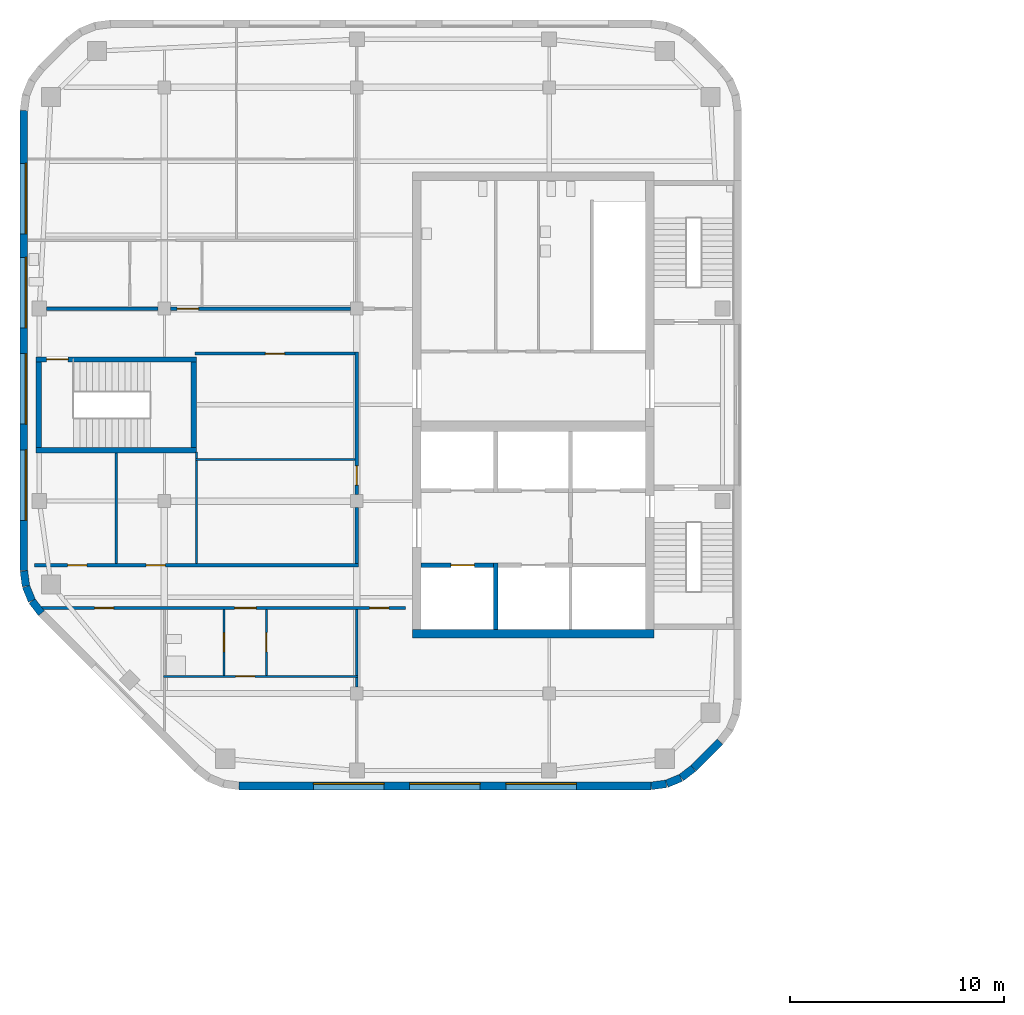
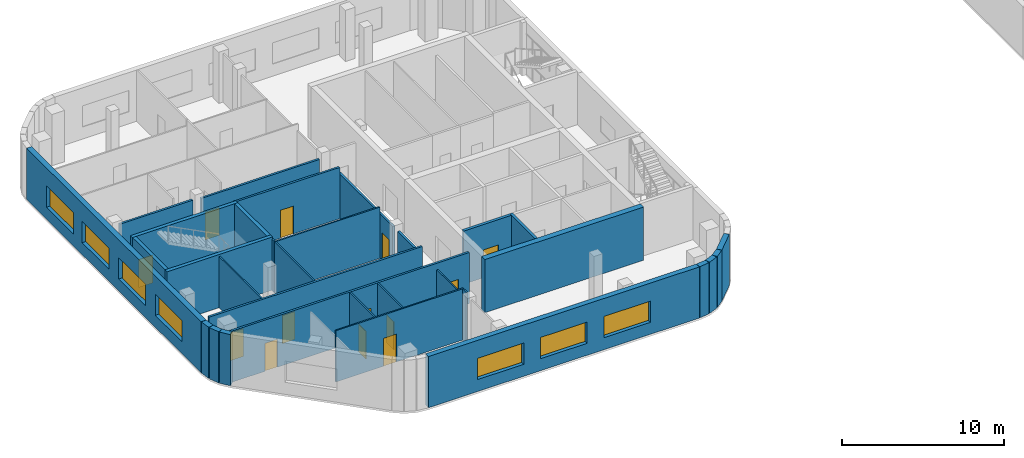
# One storey, part 5 of 14: 32 walls, 13 doors, 7 windows, 20 openings.
"""IFC4 building model written with IfcOpenShell, lengths in metres."""

from ifc_helpers import new_model, si_unit, direction, frame, frame_2d, origin, place, context, subcontext, project, spatial, rectangle, extrude, material, layer, layer_set, type_object, element, fill, save


model = new_model("IFC4")

# Units and contexts
model_context = context("Model", 3, precision=1e-05, world=origin(), true_north=direction((0.0, 1.0)))
body_context = subcontext(model_context, "Body", "Model", "MODEL_VIEW")
ifc_project = project(units=[si_unit("LENGTHUNIT", "METRE"), si_unit("AREAUNIT", "SQUARE_METRE"), si_unit("VOLUMEUNIT", "CUBIC_METRE"), si_unit("PLANEANGLEUNIT", "RADIAN"), si_unit("MASSUNIT", "GRAM", prefix="KILO")], contexts=[model_context])

# Site, building, storey
site_placement = place(None, origin())
site = spatial("IfcSite", under=ifc_project, at=site_placement, CompositionType="ELEMENT")
building_placement = place(site_placement, origin())
building = spatial("IfcBuilding", under=site, at=building_placement, Name="Cinnabar Reach Civic Tower", CompositionType="ELEMENT")
storey_placement = place(building_placement, frame((0.0, 0.0, 112.0)))
storey = spatial("IfcBuildingStorey", under=building, at=storey_placement, Name="L26", CompositionType="ELEMENT", Elevation=112.0)

# Walls
ifc_material_1 = material(Name="Facing brick with insulated backing", Category="masonry")
ifc_layer_1 = layer(ifc_material_1, 0.36)
ifc_layer_set_1 = layer_set([ifc_layer_1], Name="Brick corner wall")
wall_type_1 = type_object("IfcWallType", Name="Brick corner wall", PredefinedType="STANDARD", material=ifc_layer_set_1)
for number, where, z_axis, x_axis, name in (
    (1, (-31.2314, 13.683, 0.0), (0.0, 0.0, 1.0), (0.99144092581, 0.13055608231, 0.0), "Brick corner wall"),
    (2, (-30.5027, 13.7819, 0.0), (0.0, 0.0, 1.0), (0.923871547278, 0.382702709855, 0.0), "Brick corner wall"),
):
    element("IfcWall", number, at=place(storey_placement, frame(where, z_axis=z_axis, x_axis=x_axis)), inside=storey, type_object=wall_type_1, Name=name, PredefinedType="STANDARD", context=body_context, shape_type="SweptSolid", body=[
        extrude(rectangle(XDim=0.7131, YDim=0.36, at=frame_2d((0.3565, 0.0))), origin(), (0.0, 0.0, 1.0), 3.85),
    ])
wall_1_placement = place(storey_placement, frame((-29.8245, 14.066, 0.0), z_axis=(0.0, 0.0, 1.0), x_axis=(0.793321924995, 0.608802368033, 0.0)))
element("IfcWall", 3, at=wall_1_placement, inside=storey, type_object=wall_type_1, Name="Brick corner wall", PredefinedType="STANDARD", context=body_context, shape_type="SweptSolid", body=[
    extrude(rectangle(XDim=0.7132, YDim=0.36, at=frame_2d((0.3566, 0.0))), origin(), (0.0, 0.0, 1.0), 3.85),
])
for number, where, z_axis, x_axis, name in (
    (4, (-60.567, 23.7314, 0.0), (0.0, 0.0, 1.0), (0.13055608231, -0.99144092581, 0.0), "Brick corner wall"),
    (5, (-60.4681, 23.0027, 0.0), (0.0, 0.0, 1.0), (0.382702709855, -0.923871547278, 0.0), "Brick corner wall"),
):
    element("IfcWall", number, at=place(storey_placement, frame(where, z_axis=z_axis, x_axis=x_axis)), inside=storey, type_object=wall_type_1, Name=name, PredefinedType="STANDARD", context=body_context, shape_type="SweptSolid", body=[
        extrude(rectangle(XDim=0.7131, YDim=0.36, at=frame_2d((0.3565, 0.0))), origin(), (0.0, 0.0, 1.0), 3.85),
    ])
wall_2_placement = place(storey_placement, frame((-60.184, 22.3245, 0.0), z_axis=(0.0, 0.0, 1.0), x_axis=(0.608802368033, -0.793321924995, 0.0)))
element("IfcWall", 6, at=wall_2_placement, inside=storey, type_object=wall_type_1, Name="Brick corner wall", PredefinedType="STANDARD", context=body_context, shape_type="SweptSolid", body=[
    extrude(rectangle(XDim=0.7132, YDim=0.36, at=frame_2d((0.3566, 0.0))), origin(), (0.0, 0.0, 1.0), 3.85),
])

# Wall, openings, windows
ifc_layer_2 = layer(ifc_material_1, 0.36)
ifc_layer_set_2 = layer_set([ifc_layer_2], Name="Brick pier and spandrel wall")
wall_type_2 = type_object("IfcWallType", Name="Brick pier and spandrel wall", PredefinedType="STANDARD", material=ifc_layer_set_2)
wall_3_placement = place(storey_placement, frame((-50.5074, 13.68, 0.0), z_axis=(0.0, 0.0, 1.0), x_axis=(1.0, 0.0, 0.0)))
wall_3 = element("IfcWall", 7, at=wall_3_placement, inside=storey, type_object=wall_type_2, Name="Brick facade wall", PredefinedType="STANDARD", context=body_context, shape_type="SweptSolid", body=[
    extrude(rectangle(XDim=19.2648, YDim=0.36, at=frame_2d((9.6324, 0.0))), origin(), (0.0, 0.0, 1.0), 3.85),
])
opening_1_placement = place(wall_3_placement, frame((3.4824, 0.0, 0.9)))
opening_1 = element("IfcOpeningElement", 8, at=opening_1_placement, cuts=wall_3, Name="Opening W2709", PredefinedType="OPENING", context=body_context, shape_type="SweptSolid", body=[
    extrude(rectangle(XDim=3.3, YDim=1.6, at=frame_2d((1.65, 0.8))), frame((0.0, 0.19, 0.0), z_axis=(0.0, -1.0, 0.0), x_axis=(1.0, 0.0, 0.0)), (0.0, 0.0, 1.0), 0.38),
])
opening_2_placement = place(wall_3_placement, frame((7.9824, 0.0, 0.9)))
opening_2 = element("IfcOpeningElement", 9, at=opening_2_placement, cuts=wall_3, Name="Opening W2710", PredefinedType="OPENING", context=body_context, shape_type="SweptSolid", body=[
    extrude(rectangle(XDim=3.3, YDim=1.6, at=frame_2d((1.65, 0.8))), frame((0.0, 0.19, 0.0), z_axis=(0.0, -1.0, 0.0), x_axis=(1.0, 0.0, 0.0)), (0.0, 0.0, 1.0), 0.38),
])
opening_3_placement = place(wall_3_placement, frame((12.4824, 0.0, 0.9)))
opening_3 = element("IfcOpeningElement", 10, at=opening_3_placement, cuts=wall_3, Name="Opening W2711", PredefinedType="OPENING", context=body_context, shape_type="SweptSolid", body=[
    extrude(rectangle(XDim=3.3, YDim=1.6, at=frame_2d((1.65, 0.8))), frame((0.0, 0.19, 0.0), z_axis=(0.0, -1.0, 0.0), x_axis=(1.0, 0.0, 0.0)), (0.0, 0.0, 1.0), 0.38),
])
ifc_material_2 = material(Name="Clear double glazing in aluminium frame", Category="aluminium")
window_type = type_object("IfcWindowType", Name="Deep-set window A", PartitioningType="SINGLE_PANEL", PredefinedType="WINDOW", material=ifc_material_2)
window_1_placement = place(opening_1_placement, origin())
window_1 = element("IfcWindow", 11, at=window_1_placement, inside=storey, type_object=window_type, Name="Window south face", OverallHeight=1.6, OverallWidth=3.3, PartitioningType="SINGLE_PANEL", PredefinedType="WINDOW", context=body_context, shape_type="SweptSolid", body=[
    extrude(rectangle(XDim=3.3, YDim=1.6, at=frame_2d((1.65, 0.8))), frame((0.0, 0.13, 0.0), z_axis=(0.0, -1.0, 0.0), x_axis=(1.0, 0.0, 0.0)), (0.0, 0.0, 1.0), 0.06),
])
fill(opening_1, window_1)
window_2_placement = place(opening_2_placement, origin())
window_2 = element("IfcWindow", 12, at=window_2_placement, inside=storey, type_object=window_type, Name="Window south face", OverallHeight=1.6, OverallWidth=3.3, PartitioningType="SINGLE_PANEL", PredefinedType="WINDOW", context=body_context, shape_type="SweptSolid", body=[
    extrude(rectangle(XDim=3.3, YDim=1.6, at=frame_2d((1.65, 0.8))), frame((0.0, 0.13, 0.0), z_axis=(0.0, -1.0, 0.0), x_axis=(1.0, 0.0, 0.0)), (0.0, 0.0, 1.0), 0.06),
])
fill(opening_2, window_2)
window_3_placement = place(opening_3_placement, origin())
window_3 = element("IfcWindow", 13, at=window_3_placement, inside=storey, type_object=window_type, Name="Window south face", OverallHeight=1.6, OverallWidth=3.3, PartitioningType="SINGLE_PANEL", PredefinedType="WINDOW", context=body_context, shape_type="SweptSolid", body=[
    extrude(rectangle(XDim=3.3, YDim=1.6, at=frame_2d((1.65, 0.8))), frame((0.0, 0.13, 0.0), z_axis=(0.0, -1.0, 0.0), x_axis=(1.0, 0.0, 0.0)), (0.0, 0.0, 1.0), 0.06),
])
fill(opening_3, window_3)

# Wall
wall_4_placement = place(storey_placement, frame((-29.2486, 14.506, 0.0), z_axis=(0.0, 0.0, 1.0), x_axis=(0.707106781187, 0.707106781187, 0.0)))
element("IfcWall", 14, at=wall_4_placement, inside=storey, type_object=wall_type_2, Name="Brick facade wall", PredefinedType="STANDARD", context=body_context, shape_type="SweptSolid", body=[
    extrude(rectangle(XDim=1.7573, YDim=0.36, at=frame_2d((0.8787, 0.0))), origin(), (0.0, 0.0, 1.0), 3.85),
])

# Wall, openings, windows
wall_5_placement = place(storey_placement, frame((-60.57, 45.2574, 0.0), z_axis=(0.0, 0.0, 1.0), x_axis=(0.0, -1.0, 0.0)))
wall_5 = element("IfcWall", 15, at=wall_5_placement, inside=storey, type_object=wall_type_2, Name="Brick facade wall", PredefinedType="STANDARD", context=body_context, shape_type="SweptSolid", body=[
    extrude(rectangle(XDim=21.5148, YDim=0.36, at=frame_2d((10.7574, 0.0))), origin(), (0.0, 0.0, 1.0), 3.85),
])
opening_4_placement = place(wall_5_placement, frame((2.4574, 0.0, 0.9)))
opening_4 = element("IfcOpeningElement", 16, at=opening_4_placement, cuts=wall_5, Name="Opening W2718", PredefinedType="OPENING", context=body_context, shape_type="SweptSolid", body=[
    extrude(rectangle(XDim=3.3, YDim=1.6, at=frame_2d((1.65, 0.8))), frame((0.0, 0.19, 0.0), z_axis=(0.0, -1.0, 0.0), x_axis=(1.0, 0.0, 0.0)), (0.0, 0.0, 1.0), 0.38),
])
opening_5_placement = place(wall_5_placement, frame((6.8574, 0.0, 0.9)))
opening_5 = element("IfcOpeningElement", 17, at=opening_5_placement, cuts=wall_5, Name="Opening W2719", PredefinedType="OPENING", context=body_context, shape_type="SweptSolid", body=[
    extrude(rectangle(XDim=3.3, YDim=1.6, at=frame_2d((1.65, 0.8))), frame((0.0, 0.19, 0.0), z_axis=(0.0, -1.0, 0.0), x_axis=(1.0, 0.0, 0.0)), (0.0, 0.0, 1.0), 0.38),
])
opening_6_placement = place(wall_5_placement, frame((11.3574, 0.0, 0.9)))
opening_6 = element("IfcOpeningElement", 18, at=opening_6_placement, cuts=wall_5, Name="Opening W2720", PredefinedType="OPENING", context=body_context, shape_type="SweptSolid", body=[
    extrude(rectangle(XDim=3.3, YDim=1.6, at=frame_2d((1.65, 0.8))), frame((0.0, 0.19, 0.0), z_axis=(0.0, -1.0, 0.0), x_axis=(1.0, 0.0, 0.0)), (0.0, 0.0, 1.0), 0.38),
])
opening_7_placement = place(wall_5_placement, frame((15.8574, 0.0, 0.9)))
opening_7 = element("IfcOpeningElement", 19, at=opening_7_placement, cuts=wall_5, Name="Opening W2721", PredefinedType="OPENING", context=body_context, shape_type="SweptSolid", body=[
    extrude(rectangle(XDim=3.3, YDim=1.6, at=frame_2d((1.65, 0.8))), frame((0.0, 0.19, 0.0), z_axis=(0.0, -1.0, 0.0), x_axis=(1.0, 0.0, 0.0)), (0.0, 0.0, 1.0), 0.38),
])
window_4_placement = place(opening_4_placement, origin())
window_4 = element("IfcWindow", 20, at=window_4_placement, inside=storey, type_object=window_type, Name="Window west face", OverallHeight=1.6, OverallWidth=3.3, PartitioningType="SINGLE_PANEL", PredefinedType="WINDOW", context=body_context, shape_type="SweptSolid", body=[
    extrude(rectangle(XDim=3.3, YDim=1.6, at=frame_2d((1.65, 0.8))), frame((0.0, 0.13, 0.0), z_axis=(0.0, -1.0, 0.0), x_axis=(1.0, 0.0, 0.0)), (0.0, 0.0, 1.0), 0.06),
])
fill(opening_4, window_4)
window_5_placement = place(opening_5_placement, origin())
window_5 = element("IfcWindow", 21, at=window_5_placement, inside=storey, type_object=window_type, Name="Window west face", OverallHeight=1.6, OverallWidth=3.3, PartitioningType="SINGLE_PANEL", PredefinedType="WINDOW", context=body_context, shape_type="SweptSolid", body=[
    extrude(rectangle(XDim=3.3, YDim=1.6, at=frame_2d((1.65, 0.8))), frame((0.0, 0.13, 0.0), z_axis=(0.0, -1.0, 0.0), x_axis=(1.0, 0.0, 0.0)), (0.0, 0.0, 1.0), 0.06),
])
fill(opening_5, window_5)
window_6_placement = place(opening_6_placement, origin())
window_6 = element("IfcWindow", 22, at=window_6_placement, inside=storey, type_object=window_type, Name="Window west face", OverallHeight=1.6, OverallWidth=3.3, PartitioningType="SINGLE_PANEL", PredefinedType="WINDOW", context=body_context, shape_type="SweptSolid", body=[
    extrude(rectangle(XDim=3.3, YDim=1.6, at=frame_2d((1.65, 0.8))), frame((0.0, 0.13, 0.0), z_axis=(0.0, -1.0, 0.0), x_axis=(1.0, 0.0, 0.0)), (0.0, 0.0, 1.0), 0.06),
])
fill(opening_6, window_6)
window_7_placement = place(opening_7_placement, origin())
window_7 = element("IfcWindow", 23, at=window_7_placement, inside=storey, type_object=window_type, Name="Window west face", OverallHeight=1.6, OverallWidth=3.3, PartitioningType="SINGLE_PANEL", PredefinedType="WINDOW", context=body_context, shape_type="SweptSolid", body=[
    extrude(rectangle(XDim=3.3, YDim=1.6, at=frame_2d((1.65, 0.8))), frame((0.0, 0.13, 0.0), z_axis=(0.0, -1.0, 0.0), x_axis=(1.0, 0.0, 0.0)), (0.0, 0.0, 1.0), 0.06),
])
fill(opening_7, window_7)

# Wall
ifc_material_3 = material(Name="Concrete C60", Category="concrete")
ifc_layer_3 = layer(ifc_material_3, 0.4)
ifc_layer_set_3 = layer_set([ifc_layer_3], Name="Core wall 400 EI 180")
wall_type_3 = type_object("IfcWallType", Name="Core wall 400 EI 180", PredefinedType="SOLIDWALL", material=ifc_layer_set_3)
wall_6_placement = place(storey_placement, frame((-42.4, 20.8, 0.0), z_axis=(0.0, 0.0, 1.0), x_axis=(1.0, 0.0, 0.0)))
element("IfcWall", 24, at=wall_6_placement, inside=storey, type_object=wall_type_3, Name="Core wall T2 L26 S", PredefinedType="SOLIDWALL", context=body_context, shape_type="SweptSolid", body=[
    extrude(rectangle(XDim=11.3, YDim=0.4, at=frame_2d((5.65, 0.0))), origin(), (0.0, 0.0, 1.0), 4.0),
])

# Wall, opening, door
ifc_material_4 = material(Name="Gypsum board on steel studs, double layer", Category="steel")
ifc_layer_4 = layer(ifc_material_4, 0.15)
ifc_layer_set_4 = layer_set([ifc_layer_4], Name="Corridor wall 150 T2")
wall_type_4 = type_object("IfcWallType", Name="Corridor wall 150 T2", PredefinedType="PARTITIONING", material=ifc_layer_set_4)
wall_7_placement = place(storey_placement, frame((-53.7, 36.0, 0.0), z_axis=(0.0, 0.0, 1.0), x_axis=(1.0, 0.0, 0.0)))
wall_7 = element("IfcWall", 25, at=wall_7_placement, inside=storey, type_object=wall_type_4, Name="Corridor wall 2", PredefinedType="PARTITIONING", context=body_context, shape_type="SweptSolid", body=[
    extrude(rectangle(XDim=8.4, YDim=0.15, at=frame_2d((4.2, 0.0))), origin(), (0.0, 0.0, 1.0), 3.262),
])
opening_8_placement = place(wall_7_placement, frame((0.3, 0.0, 0.0)))
opening_8 = element("IfcOpeningElement", 26, at=opening_8_placement, cuts=wall_7, Name="Opening D6970", PredefinedType="OPENING", context=body_context, shape_type="SweptSolid", body=[
    extrude(rectangle(XDim=1.0, YDim=2.1, at=frame_2d((0.5, 1.05))), frame((0.0, 0.085, 0.0), z_axis=(0.0, -1.0, 0.0), x_axis=(1.0, 0.0, 0.0)), (0.0, 0.0, 1.0), 0.17),
])
ifc_material_5 = material(Name="Timber door leaf in steel frame", Category="steel")
door_type_1 = type_object("IfcDoorType", Name="Tenancy entrance door 1000 x 2100 T2", OperationType="SINGLE_SWING_LEFT", PredefinedType="DOOR", material=ifc_material_5)
door_1_placement = place(opening_8_placement, origin())
door_1 = element("IfcDoor", 27, at=door_1_placement, inside=storey, type_object=door_type_1, Name="Door D6970", OperationType="SINGLE_SWING_RIGHT", OverallHeight=2.1, OverallWidth=1.0, PredefinedType="DOOR", context=body_context, shape_type="SweptSolid", body=[
    extrude(rectangle(XDim=1.0, YDim=2.1, at=frame_2d((0.5, 1.05))), frame((0.0, 0.025, 0.0), z_axis=(0.0, -1.0, 0.0), x_axis=(1.0, 0.0, 0.0)), (0.0, 0.0, 1.0), 0.05),
])
fill(opening_8, door_1)

# Wall
wall_8_placement = place(storey_placement, frame((-59.5, 36.0, 0.0), z_axis=(0.0, 0.0, 1.0), x_axis=(1.0, 0.0, 0.0)))
element("IfcWall", 28, at=wall_8_placement, inside=storey, type_object=wall_type_4, Name="Corridor wall 3", PredefinedType="PARTITIONING", context=body_context, shape_type="SweptSolid", body=[
    extrude(rectangle(XDim=5.2, YDim=0.15, at=frame_2d((2.6, 0.0))), origin(), (0.0, 0.0, 1.0), 3.35),
])

# Wall, openings, doors
wall_9_placement = place(storey_placement, frame((-59.7657, 22.0, 0.0), z_axis=(0.0, 0.0, 1.0), x_axis=(1.0, 0.0, 0.0)))
wall_9 = element("IfcWall", 29, at=wall_9_placement, inside=storey, type_object=wall_type_4, Name="Corridor wall 4", PredefinedType="PARTITIONING", context=body_context, shape_type="SweptSolid", body=[
    extrude(rectangle(XDim=17.0407, YDim=0.15, at=frame_2d((8.5204, 0.0))), origin(), (0.0, 0.0, 1.0), 3.85),
])
opening_9_placement = place(wall_9_placement, frame((15.3657, 0.0, 0.0)))
opening_9 = element("IfcOpeningElement", 30, at=opening_9_placement, cuts=wall_9, Name="Opening D6958", PredefinedType="OPENING", context=body_context, shape_type="SweptSolid", body=[
    extrude(rectangle(XDim=0.9, YDim=2.1, at=frame_2d((0.45, 1.05))), frame((0.0, 0.085, 0.0), z_axis=(0.0, -1.0, 0.0), x_axis=(1.0, 0.0, 0.0)), (0.0, 0.0, 1.0), 0.17),
])
opening_10_placement = place(wall_9_placement, frame((2.5, 0.0, 0.0)))
opening_10 = element("IfcOpeningElement", 31, at=opening_10_placement, cuts=wall_9, Name="Opening D6959", PredefinedType="OPENING", context=body_context, shape_type="SweptSolid", body=[
    extrude(rectangle(XDim=0.9, YDim=2.1, at=frame_2d((0.45, 1.05))), frame((0.0, 0.085, 0.0), z_axis=(0.0, -1.0, 0.0), x_axis=(1.0, 0.0, 0.0)), (0.0, 0.0, 1.0), 0.17),
])
opening_11_placement = place(wall_9_placement, frame((9.0557, 0.0, 0.0)))
opening_11 = element("IfcOpeningElement", 32, at=opening_11_placement, cuts=wall_9, Name="Opening D6963", PredefinedType="OPENING", context=body_context, shape_type="SweptSolid", body=[
    extrude(rectangle(XDim=1.0, YDim=2.1, at=frame_2d((0.5, 1.05))), frame((0.0, 0.085, 0.0), z_axis=(0.0, -1.0, 0.0), x_axis=(1.0, 0.0, 0.0)), (0.0, 0.0, 1.0), 0.17),
])
door_type_2 = type_object("IfcDoorType", Name="Single swing door 900 x 2100 T2", OperationType="SINGLE_SWING_LEFT", PredefinedType="DOOR", material=ifc_material_5)
door_2_placement = place(opening_9_placement, frame((0.9, 0.0, 0.0), z_axis=(0.0, 0.0, 1.0), x_axis=(-1.0, 0.0, 0.0)))
door_2 = element("IfcDoor", 33, at=door_2_placement, inside=storey, type_object=door_type_2, Name="Door D6958", OperationType="SINGLE_SWING_LEFT", OverallHeight=2.1, OverallWidth=0.9, PredefinedType="DOOR", context=body_context, shape_type="SweptSolid", body=[
    extrude(rectangle(XDim=0.9, YDim=2.1, at=frame_2d((0.45, 1.05))), frame((0.0, 0.025, 0.0), z_axis=(0.0, -1.0, 0.0), x_axis=(1.0, 0.0, 0.0)), (0.0, 0.0, 1.0), 0.05),
])
fill(opening_9, door_2)
door_3_placement = place(opening_10_placement, frame((0.9, 0.0, 0.0), z_axis=(0.0, 0.0, 1.0), x_axis=(-1.0, 0.0, 0.0)))
door_3 = element("IfcDoor", 34, at=door_3_placement, inside=storey, type_object=door_type_2, Name="Door D6959", OperationType="SINGLE_SWING_RIGHT", OverallHeight=2.1, OverallWidth=0.9, PredefinedType="DOOR", context=body_context, shape_type="SweptSolid", body=[
    extrude(rectangle(XDim=0.9, YDim=2.1, at=frame_2d((0.45, 1.05))), frame((0.0, 0.025, 0.0), z_axis=(0.0, -1.0, 0.0), x_axis=(1.0, 0.0, 0.0)), (0.0, 0.0, 1.0), 0.05),
])
fill(opening_10, door_3)
door_4_placement = place(opening_11_placement, frame((1.0, 0.0, 0.0), z_axis=(0.0, 0.0, 1.0), x_axis=(-1.0, 0.0, 0.0)))
door_4 = element("IfcDoor", 35, at=door_4_placement, inside=storey, type_object=door_type_1, Name="Door D6963", OperationType="SINGLE_SWING_LEFT", OverallHeight=2.1, OverallWidth=1.0, PredefinedType="DOOR", context=body_context, shape_type="SweptSolid", body=[
    extrude(rectangle(XDim=1.0, YDim=2.1, at=frame_2d((0.5, 1.05))), frame((0.0, 0.025, 0.0), z_axis=(0.0, -1.0, 0.0), x_axis=(1.0, 0.0, 0.0)), (0.0, 0.0, 1.0), 0.05),
])
fill(opening_11, door_4)

wall_10_placement = place(storey_placement, frame((-60.075, 24.0, 0.0), z_axis=(0.0, 0.0, 1.0), x_axis=(1.0, 0.0, 0.0)))
wall_10 = element("IfcWall", 36, at=wall_10_placement, inside=storey, type_object=wall_type_4, Name="Corridor wall 5", PredefinedType="PARTITIONING", context=body_context, shape_type="SweptSolid", body=[
    extrude(rectangle(XDim=15.15, YDim=0.15, at=frame_2d((7.575, 0.0))), origin(), (0.0, 0.0, 1.0), 3.85),
])
opening_12_placement = place(wall_10_placement, frame((1.55, 0.0, 0.0)))
opening_12 = element("IfcOpeningElement", 37, at=opening_12_placement, cuts=wall_10, Name="Opening D6971", PredefinedType="OPENING", context=body_context, shape_type="SweptSolid", body=[
    extrude(rectangle(XDim=0.9, YDim=2.1, at=frame_2d((0.45, 1.05))), frame((0.0, 0.085, 0.0), z_axis=(0.0, -1.0, 0.0), x_axis=(1.0, 0.0, 0.0)), (0.0, 0.0, 1.0), 0.17),
])
opening_13_placement = place(wall_10_placement, frame((5.225, 0.0, 0.0)))
opening_13 = element("IfcOpeningElement", 38, at=opening_13_placement, cuts=wall_10, Name="Opening D6972", PredefinedType="OPENING", context=body_context, shape_type="SweptSolid", body=[
    extrude(rectangle(XDim=0.9, YDim=2.1, at=frame_2d((0.45, 1.05))), frame((0.0, 0.085, 0.0), z_axis=(0.0, -1.0, 0.0), x_axis=(1.0, 0.0, 0.0)), (0.0, 0.0, 1.0), 0.17),
])
door_5_placement = place(opening_12_placement, origin())
door_5 = element("IfcDoor", 39, at=door_5_placement, inside=storey, type_object=door_type_2, Name="Door D6971", OperationType="SINGLE_SWING_RIGHT", OverallHeight=2.1, OverallWidth=0.9, PredefinedType="DOOR", context=body_context, shape_type="SweptSolid", body=[
    extrude(rectangle(XDim=0.9, YDim=2.1, at=frame_2d((0.45, 1.05))), frame((0.0, 0.025, 0.0), z_axis=(0.0, -1.0, 0.0), x_axis=(1.0, 0.0, 0.0)), (0.0, 0.0, 1.0), 0.05),
])
fill(opening_12, door_5)
door_6_placement = place(opening_13_placement, origin())
door_6 = element("IfcDoor", 40, at=door_6_placement, inside=storey, type_object=door_type_2, Name="Door D6972", OperationType="SINGLE_SWING_LEFT", OverallHeight=2.1, OverallWidth=0.9, PredefinedType="DOOR", context=body_context, shape_type="SweptSolid", body=[
    extrude(rectangle(XDim=0.9, YDim=2.1, at=frame_2d((0.45, 1.05))), frame((0.0, 0.025, 0.0), z_axis=(0.0, -1.0, 0.0), x_axis=(1.0, 0.0, 0.0)), (0.0, 0.0, 1.0), 0.05),
])
fill(opening_13, door_6)

# Wall
wall_11_placement = place(storey_placement, frame((-45.0, 24.075, 0.0), z_axis=(0.0, 0.0, 1.0), x_axis=(0.0, 1.0, 0.0)))
element("IfcWall", 41, at=wall_11_placement, inside=storey, type_object=wall_type_4, Name="Corridor wall 6", PredefinedType="PARTITIONING", context=body_context, shape_type="SweptSolid", body=[
    extrude(rectangle(XDim=2.625, YDim=0.15, at=frame_2d((1.3125, 0.0))), origin(), (0.0, 0.0, 1.0), 3.362),
])

# Wall, opening, door
wall_12_placement = place(storey_placement, frame((-45.0, 27.3, 0.0), z_axis=(0.0, 0.0, 1.0), x_axis=(0.0, 1.0, 0.0)))
wall_12 = element("IfcWall", 42, at=wall_12_placement, inside=storey, type_object=wall_type_4, Name="Corridor wall 7", PredefinedType="PARTITIONING", context=body_context, shape_type="SweptSolid", body=[
    extrude(rectangle(XDim=6.675, YDim=0.15, at=frame_2d((3.3375, 0.0))), origin(), (0.0, 0.0, 1.0), 3.362),
])
opening_14_placement = place(wall_12_placement, frame((0.45, 0.0, 0.0)))
opening_14 = element("IfcOpeningElement", 43, at=opening_14_placement, cuts=wall_12, Name="Opening D6973", PredefinedType="OPENING", context=body_context, shape_type="SweptSolid", body=[
    extrude(rectangle(XDim=0.9, YDim=2.1, at=frame_2d((0.45, 1.05))), frame((0.0, 0.085, 0.0), z_axis=(0.0, -1.0, 0.0), x_axis=(1.0, 0.0, 0.0)), (0.0, 0.0, 1.0), 0.17),
])
door_7_placement = place(opening_14_placement, origin())
door_7 = element("IfcDoor", 44, at=door_7_placement, inside=storey, type_object=door_type_2, Name="Door D6973", OperationType="SINGLE_SWING_RIGHT", OverallHeight=2.1, OverallWidth=0.9, PredefinedType="DOOR", context=body_context, shape_type="SweptSolid", body=[
    extrude(rectangle(XDim=0.9, YDim=2.1, at=frame_2d((0.45, 1.05))), frame((0.0, 0.025, 0.0), z_axis=(0.0, -1.0, 0.0), x_axis=(1.0, 0.0, 0.0)), (0.0, 0.0, 1.0), 0.05),
])
fill(opening_14, door_7)

wall_13_placement = place(storey_placement, frame((-52.575, 33.9, 0.0), z_axis=(0.0, 0.0, 1.0), x_axis=(1.0, 0.0, 0.0)))
wall_13 = element("IfcWall", 45, at=wall_13_placement, inside=storey, type_object=wall_type_4, Name="Corridor wall 8", PredefinedType="PARTITIONING", context=body_context, shape_type="SweptSolid", body=[
    extrude(rectangle(XDim=7.5, YDim=0.15, at=frame_2d((3.75, 0.0))), origin(), (0.0, 0.0, 1.0), 3.85),
])
opening_15_placement = place(wall_13_placement, frame((3.3, 0.0, 0.0)))
opening_15 = element("IfcOpeningElement", 46, at=opening_15_placement, cuts=wall_13, Name="Opening D6974", PredefinedType="OPENING", context=body_context, shape_type="SweptSolid", body=[
    extrude(rectangle(XDim=0.9, YDim=2.1, at=frame_2d((0.45, 1.05))), frame((0.0, 0.085, 0.0), z_axis=(0.0, -1.0, 0.0), x_axis=(1.0, 0.0, 0.0)), (0.0, 0.0, 1.0), 0.17),
])
door_8_placement = place(opening_15_placement, frame((0.9, 0.0, 0.0), z_axis=(0.0, 0.0, 1.0), x_axis=(-1.0, 0.0, 0.0)))
door_8 = element("IfcDoor", 47, at=door_8_placement, inside=storey, type_object=door_type_2, Name="Door D6974", OperationType="SINGLE_SWING_LEFT", OverallHeight=2.1, OverallWidth=0.9, PredefinedType="DOOR", context=body_context, shape_type="SweptSolid", body=[
    extrude(rectangle(XDim=0.9, YDim=2.1, at=frame_2d((0.45, 1.05))), frame((0.0, 0.025, 0.0), z_axis=(0.0, -1.0, 0.0), x_axis=(1.0, 0.0, 0.0)), (0.0, 0.0, 1.0), 0.05),
])
fill(opening_15, door_8)

ifc_material_6 = material(Name="Gypsum board on steel studs", Category="steel")
ifc_layer_5 = layer(ifc_material_6, 0.1)
ifc_layer_set_5 = layer_set([ifc_layer_5], Name="Partition wall 100 T2")
wall_type_5 = type_object("IfcWallType", Name="Partition wall 100 T2", PredefinedType="PARTITIONING", material=ifc_layer_set_5)
wall_14_placement = place(storey_placement, frame((-54.05, 18.8, 0.0), z_axis=(0.0, 0.0, 1.0), x_axis=(1.0, 0.0, 0.0)))
wall_14 = element("IfcWall", 48, at=wall_14_placement, inside=storey, type_object=wall_type_5, Name="Partition wall 17", PredefinedType="PARTITIONING", context=body_context, shape_type="SweptSolid", body=[
    extrude(rectangle(XDim=9.1, YDim=0.1, at=frame_2d((4.55, 0.0))), origin(), (0.0, 0.0, 1.0), 3.85),
])
opening_16_placement = place(wall_14_placement, frame((3.39, 0.0, 0.0)))
opening_16 = element("IfcOpeningElement", 49, at=opening_16_placement, cuts=wall_14, Name="Opening D6962", PredefinedType="OPENING", context=body_context, shape_type="SweptSolid", body=[
    extrude(rectangle(XDim=0.9, YDim=2.1, at=frame_2d((0.45, 1.05))), frame((0.0, 0.06, 0.0), z_axis=(0.0, -1.0, 0.0), x_axis=(1.0, 0.0, 0.0)), (0.0, 0.0, 1.0), 0.12),
])
door_9_placement = place(opening_16_placement, origin())
door_9 = element("IfcDoor", 50, at=door_9_placement, inside=storey, type_object=door_type_2, Name="Door D6962", OperationType="SINGLE_SWING_RIGHT", OverallHeight=2.1, OverallWidth=0.9, PredefinedType="DOOR", context=body_context, shape_type="SweptSolid", body=[
    extrude(rectangle(XDim=0.9, YDim=2.1, at=frame_2d((0.45, 1.05))), frame((0.0, 0.025, 0.0), z_axis=(0.0, -1.0, 0.0), x_axis=(1.0, 0.0, 0.0)), (0.0, 0.0, 1.0), 0.05),
])
fill(opening_16, door_9)

# Walls
wall_15_placement = place(storey_placement, frame((-45.0, 18.85, 0.0), z_axis=(0.0, 0.0, 1.0), x_axis=(0.0, 1.0, 0.0)))
element("IfcWall", 51, at=wall_15_placement, inside=storey, type_object=wall_type_5, Name="Partition wall 18", PredefinedType="PARTITIONING", context=body_context, shape_type="SweptSolid", body=[
    extrude(rectangle(XDim=3.075, YDim=0.1, at=frame_2d((1.5375, 0.0))), origin(), (0.0, 0.0, 1.0), 3.362),
])
wall_16_placement = place(storey_placement, frame((-45.0, 18.3, 0.0), z_axis=(0.0, 0.0, 1.0), x_axis=(0.0, 1.0, 0.0)))
element("IfcWall", 52, at=wall_16_placement, inside=storey, type_object=wall_type_5, Name="Partition wall 19", PredefinedType="PARTITIONING", context=body_context, shape_type="SweptSolid", body=[
    extrude(rectangle(XDim=0.45, YDim=0.1, at=frame_2d((0.225, 0.0))), origin(), (0.0, 0.0, 1.0), 3.85),
])
wall_17_placement = place(storey_placement, frame((-52.55, 28.95, 0.0), z_axis=(0.0, 0.0, 1.0), x_axis=(1.0, 0.0, 0.0)))
element("IfcWall", 53, at=wall_17_placement, inside=storey, type_object=wall_type_5, Name="Partition wall 21", PredefinedType="PARTITIONING", context=body_context, shape_type="SweptSolid", body=[
    extrude(rectangle(XDim=7.475, YDim=0.1, at=frame_2d((3.7375, 0.0))), origin(), (0.0, 0.0, 1.0), 3.85),
])
wall_18_placement = place(storey_placement, frame((-56.25, 24.075, 0.0), z_axis=(0.0, 0.0, 1.0), x_axis=(0.0, 1.0, 0.0)))
element("IfcWall", 54, at=wall_18_placement, inside=storey, type_object=wall_type_5, Name="Partition wall 24", PredefinedType="PARTITIONING", context=body_context, shape_type="SweptSolid", body=[
    extrude(rectangle(XDim=5.175, YDim=0.1, at=frame_2d((2.5875, 0.0))), origin(), (0.0, 0.0, 1.0), 3.85),
])
wall_19_placement = place(storey_placement, frame((-52.5, 29.0, 0.0), z_axis=(0.0, 0.0, 1.0), x_axis=(0.0, 1.0, 0.0)))
element("IfcWall", 55, at=wall_19_placement, inside=storey, type_object=wall_type_5, Name="Partition wall 25", PredefinedType="PARTITIONING", context=body_context, shape_type="SweptSolid", body=[
    extrude(rectangle(XDim=0.3, YDim=0.1, at=frame_2d((0.15, 0.0))), origin(), (0.0, 0.0, 1.0), 3.85),
])
wall_20_placement = place(storey_placement, frame((-52.5, 24.075, 0.0), z_axis=(0.0, 0.0, 1.0), x_axis=(0.0, 1.0, 0.0)))
element("IfcWall", 56, at=wall_20_placement, inside=storey, type_object=wall_type_5, Name="Partition wall 26", PredefinedType="PARTITIONING", context=body_context, shape_type="SweptSolid", body=[
    extrude(rectangle(XDim=4.825, YDim=0.1, at=frame_2d((2.4125, 0.0))), origin(), (0.0, 0.0, 1.0), 3.85),
])

# Wall, opening, door
wall_21_placement = place(storey_placement, frame((-51.21, 18.85, 0.0), z_axis=(0.0, 0.0, 1.0), x_axis=(0.0, 1.0, 0.0)))
wall_21 = element("IfcWall", 57, at=wall_21_placement, inside=storey, type_object=wall_type_5, Name="Partition wall 29", PredefinedType="PARTITIONING", context=body_context, shape_type="SweptSolid", body=[
    extrude(rectangle(XDim=3.075, YDim=0.1, at=frame_2d((1.5375, 0.0))), origin(), (0.0, 0.0, 1.0), 3.85),
])
opening_17_placement = place(wall_21_placement, frame((1.1, 0.0, 0.0)))
opening_17 = element("IfcOpeningElement", 58, at=opening_17_placement, cuts=wall_21, Name="Opening D6960", PredefinedType="OPENING", context=body_context, shape_type="SweptSolid", body=[
    extrude(rectangle(XDim=0.9, YDim=2.1, at=frame_2d((0.45, 1.05))), frame((0.0, 0.06, 0.0), z_axis=(0.0, -1.0, 0.0), x_axis=(1.0, 0.0, 0.0)), (0.0, 0.0, 1.0), 0.12),
])
door_10_placement = place(opening_17_placement, origin())
door_10 = element("IfcDoor", 59, at=door_10_placement, inside=storey, type_object=door_type_2, Name="Door D6960", OperationType="SINGLE_SWING_RIGHT", OverallHeight=2.1, OverallWidth=0.9, PredefinedType="DOOR", context=body_context, shape_type="SweptSolid", body=[
    extrude(rectangle(XDim=0.9, YDim=2.1, at=frame_2d((0.45, 1.05))), frame((0.0, 0.025, 0.0), z_axis=(0.0, -1.0, 0.0), x_axis=(1.0, 0.0, 0.0)), (0.0, 0.0, 1.0), 0.05),
])
fill(opening_17, door_10)

wall_22_placement = place(storey_placement, frame((-49.23, 18.85, 0.0), z_axis=(0.0, 0.0, 1.0), x_axis=(0.0, 1.0, 0.0)))
wall_22 = element("IfcWall", 60, at=wall_22_placement, inside=storey, type_object=wall_type_5, Name="Partition wall 30", PredefinedType="PARTITIONING", context=body_context, shape_type="SweptSolid", body=[
    extrude(rectangle(XDim=3.075, YDim=0.1, at=frame_2d((1.5375, 0.0))), origin(), (0.0, 0.0, 1.0), 3.85),
])
opening_18_placement = place(wall_22_placement, frame((1.1, 0.0, 0.0)))
opening_18 = element("IfcOpeningElement", 61, at=opening_18_placement, cuts=wall_22, Name="Opening D6961", PredefinedType="OPENING", context=body_context, shape_type="SweptSolid", body=[
    extrude(rectangle(XDim=0.9, YDim=2.1, at=frame_2d((0.45, 1.05))), frame((0.0, 0.06, 0.0), z_axis=(0.0, -1.0, 0.0), x_axis=(1.0, 0.0, 0.0)), (0.0, 0.0, 1.0), 0.12),
])
door_11_placement = place(opening_18_placement, origin())
door_11 = element("IfcDoor", 62, at=door_11_placement, inside=storey, type_object=door_type_2, Name="Door D6961", OperationType="SINGLE_SWING_LEFT", OverallHeight=2.1, OverallWidth=0.9, PredefinedType="DOOR", context=body_context, shape_type="SweptSolid", body=[
    extrude(rectangle(XDim=0.9, YDim=2.1, at=frame_2d((0.45, 1.05))), frame((0.0, 0.025, 0.0), z_axis=(0.0, -1.0, 0.0), x_axis=(1.0, 0.0, 0.0)), (0.0, 0.0, 1.0), 0.05),
])
fill(opening_18, door_11)

# Wall
ifc_layer_6 = layer(ifc_material_3, 0.25)
ifc_layer_set_6 = layer_set([ifc_layer_6], Name="Stair shaft wall 250 EI 120")
wall_type_6 = type_object("IfcWallType", Name="Stair shaft wall 250 EI 120", PredefinedType="SOLIDWALL", material=ifc_layer_set_6)
wall_23_placement = place(storey_placement, frame((-60.0, 29.375, 0.0), z_axis=(0.0, 0.0, 1.0), x_axis=(1.0, 0.0, 0.0)))
element("IfcWall", 63, at=wall_23_placement, inside=storey, type_object=wall_type_6, Name="Stair shaft wall T2-S3 L26", PredefinedType="SOLIDWALL", context=body_context, shape_type="SweptSolid", body=[
    extrude(rectangle(XDim=7.5, YDim=0.25, at=frame_2d((3.75, 0.0))), origin(), (0.0, 0.0, 1.0), 4.0),
])

# Wall, opening, door
wall_24_placement = place(storey_placement, frame((-52.5, 33.625, 0.0), z_axis=(0.0, 0.0, 1.0), x_axis=(-1.0, 0.0, 0.0)))
wall_24 = element("IfcWall", 64, at=wall_24_placement, inside=storey, type_object=wall_type_6, Name="Stair shaft wall T2-S3 L26", PredefinedType="SOLIDWALL", context=body_context, shape_type="SweptSolid", body=[
    extrude(rectangle(XDim=7.5, YDim=0.25, at=frame_2d((3.75, 0.0))), origin(), (0.0, 0.0, 1.0), 4.0),
])
opening_19_placement = place(wall_24_placement, frame((6.0, 0.0, 0.0)))
opening_19 = element("IfcOpeningElement", 65, at=opening_19_placement, cuts=wall_24, Name="Opening D6975", PredefinedType="OPENING", context=body_context, shape_type="SweptSolid", body=[
    extrude(rectangle(XDim=1.0, YDim=2.1, at=frame_2d((0.5, 1.05))), frame((0.0, 0.135, 0.0), z_axis=(0.0, -1.0, 0.0), x_axis=(1.0, 0.0, 0.0)), (0.0, 0.0, 1.0), 0.27),
])
door_type_3 = type_object("IfcDoorType", Name="Stair door 1000 x 2100 T2", OperationType="SINGLE_SWING_LEFT", PredefinedType="DOOR", material=ifc_material_5)
door_12_placement = place(opening_19_placement, origin())
door_12 = element("IfcDoor", 66, at=door_12_placement, inside=storey, type_object=door_type_3, Name="Door D6975", OperationType="SINGLE_SWING_RIGHT", OverallHeight=2.1, OverallWidth=1.0, PredefinedType="DOOR", context=body_context, shape_type="SweptSolid", body=[
    extrude(rectangle(XDim=1.0, YDim=2.1, at=frame_2d((0.5, 1.05))), frame((0.0, 0.025, 0.0), z_axis=(0.0, -1.0, 0.0), x_axis=(1.0, 0.0, 0.0)), (0.0, 0.0, 1.0), 0.05),
])
fill(opening_19, door_12)

# Walls
for number, where, z_axis, x_axis, name in (
    (67, (-52.625, 29.5, 0.0), (0.0, 0.0, 1.0), (0.0, 1.0, 0.0), "Stair shaft wall T2-S3 L26"),
    (68, (-59.875, 33.5, 0.0), (0.0, 0.0, 1.0), (0.0, -1.0, 0.0), "Stair shaft wall T2-S3 L26"),
):
    element("IfcWall", number, at=place(storey_placement, frame(where, z_axis=z_axis, x_axis=x_axis)), inside=storey, type_object=wall_type_6, Name=name, PredefinedType="SOLIDWALL", context=body_context, shape_type="SweptSolid", body=[
        extrude(rectangle(XDim=4.0, YDim=0.25, at=frame_2d((2.0, 0.0))), origin(), (0.0, 0.0, 1.0), 4.0),
    ])
ifc_material_7 = material(Name="Concrete C40", Category="concrete")
ifc_layer_7 = layer(ifc_material_7, 0.2)
ifc_layer_set_7 = layer_set([ifc_layer_7], Name="T2 Shaft wall 200")
wall_type_7 = type_object("IfcWallType", Name="T2 Shaft wall 200", PredefinedType="SOLIDWALL", material=ifc_layer_set_7)
wall_25_placement = place(storey_placement, frame((-38.5, 21.0, 0.0), z_axis=(0.0, 0.0, 1.0), x_axis=(0.0, 1.0, 0.0)))
element("IfcWall", 69, at=wall_25_placement, inside=storey, type_object=wall_type_7, Name="T2 Shaft wall L26 001", PredefinedType="SOLIDWALL", context=body_context, shape_type="SweptSolid", body=[
    extrude(rectangle(XDim=3.1, YDim=0.2, at=frame_2d((1.55, 0.0))), origin(), (0.0, 0.0, 1.0), 4.0),
])

# Wall, opening, door
wall_26_placement = place(storey_placement, frame((-38.6, 24.0, 0.0), z_axis=(0.0, 0.0, 1.0), x_axis=(-1.0, 0.0, 0.0)))
wall_26 = element("IfcWall", 70, at=wall_26_placement, inside=storey, type_object=wall_type_7, Name="T2 Shaft wall L26 002", PredefinedType="SOLIDWALL", context=body_context, shape_type="SweptSolid", body=[
    extrude(rectangle(XDim=3.4, YDim=0.2, at=frame_2d((1.7, 0.0))), origin(), (0.0, 0.0, 1.0), 4.0),
])
opening_20_placement = place(wall_26_placement, frame((0.9, 0.0, 0.0)))
opening_20 = element("IfcOpeningElement", 71, at=opening_20_placement, cuts=wall_26, Name="Opening D6942", PredefinedType="OPENING", context=body_context, shape_type="SweptSolid", body=[
    extrude(rectangle(XDim=1.1, YDim=2.1, at=frame_2d((0.55, 1.05))), frame((0.0, 0.11, 0.0), z_axis=(0.0, -1.0, 0.0), x_axis=(1.0, 0.0, 0.0)), (0.0, 0.0, 1.0), 0.22),
])
ifc_material_8 = material(Name="Steel fire door", Category="steel")
door_type_4 = type_object("IfcDoorType", Name="T2 Lift landing door 1100", OperationType="SLIDING_TO_LEFT", PredefinedType="DOOR", material=ifc_material_8)
door_13_placement = place(opening_20_placement, origin())
door_13 = element("IfcDoor", 72, at=door_13_placement, inside=storey, type_object=door_type_4, Name="T2 Lift landing door D6942", OperationType="SLIDING_TO_LEFT", OverallHeight=2.1, OverallWidth=1.1, PredefinedType="DOOR", context=body_context, shape_type="SweptSolid", body=[
    extrude(rectangle(XDim=1.1, YDim=2.1, at=frame_2d((0.55, 1.05))), frame((0.0, 0.025, 0.0), z_axis=(0.0, -1.0, 0.0), x_axis=(1.0, 0.0, 0.0)), (0.0, 0.0, 1.0), 0.05),
])
fill(opening_20, door_13)

save(model, "model.ifc")
